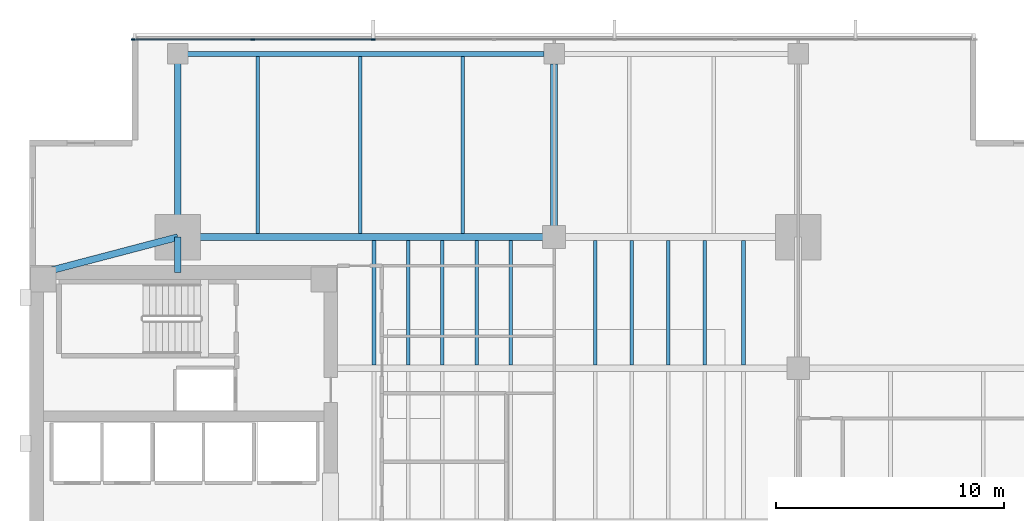
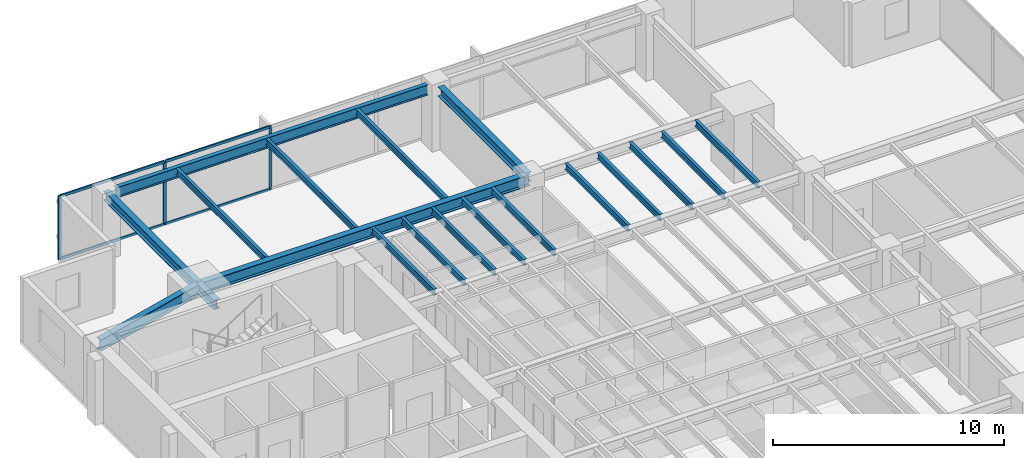
# One storey, part 5 of 15: 19 beams, 7 members, 1 element without a shape of its own.
"""IFC4 building model written with IfcOpenShell, lengths in metres."""

import ifcopenshell
import ifcopenshell.guid

model = None  # the IFC model being written
_history = None  # IfcOwnerHistory: only IFC2X3 demands one
_inside = {}  # id of a spatial element -> (the spatial element, [elements in it])
_under = {}  # id of a project, library or spatial element -> (it, [spatial elements below it])
_declared = {}  # id of a project -> (the project, [libraries it declares])
_typed = {}  # id of a type object -> (the type object, [elements of that type])
_made_of = {}  # id of a material, layer set ... -> (it, [elements and type objects made of it])


def new_model(schema):
    """Start an empty IFC model of exactly this schema.

    Asked for "IFC4X3", IfcOpenShell would pick the latest addendum, in which some entities
    have other attributes; the version numbers below select the first issue.
    IFC2X3 requires an IfcOwnerHistory on every rooted entity: one is made here for all.
    """
    global model, _history
    if schema == "IFC4X3":
        model = ifcopenshell.file(schema_version=(4, 3, 0, 0))
    else:
        model = ifcopenshell.file(schema=schema)
    _inside.clear()
    _under.clear()
    _declared.clear()
    _typed.clear()
    _made_of.clear()
    _history = None
    if model.schema == "IFC2X3":
        org = make("IfcOrganization", Name="unknown")
        user = make(
            "IfcPersonAndOrganization",
            ThePerson=make("IfcPerson", FamilyName="unknown"),
            TheOrganization=org,
        )
        app = make(
            "IfcApplication",
            ApplicationDeveloper=org,
            Version="unknown",
            ApplicationFullName="unknown",
            ApplicationIdentifier="unknown",
        )
        _history = make(
            "IfcOwnerHistory",
            OwningUser=user,
            OwningApplication=app,
            ChangeAction="ADDED",
            CreationDate=0,
        )
    return model


def make(cls, **values):
    """One entity of the class cls with the attributes given. An attribute that is None is left unset."""
    return model.create_entity(
        cls, **{name: value for name, value in values.items() if value is not None}
    )


def rooted(cls, **values):
    """An entity with a GlobalId (a new one), such as an element, a storey or a relation."""
    return make(cls, GlobalId=ifcopenshell.guid.new(), OwnerHistory=_history, **values)


def si_unit(unit_type, name, prefix=None):
    """IfcSIUnit, for example si_unit("LENGTHUNIT", "METRE", prefix="MILLI")."""
    return make("IfcSIUnit", UnitType=unit_type, Prefix=prefix, Name=name)


def assignment(units):
    """IfcUnitAssignment: the units of a project."""
    return None if units is None else make("IfcUnitAssignment", Units=units)


def point(xyz):
    """IfcCartesianPoint."""
    return None if xyz is None else make("IfcCartesianPoint", Coordinates=xyz)


def direction(xyz):
    """IfcDirection."""
    return None if xyz is None else make("IfcDirection", DirectionRatios=xyz)


def frame(location, z_axis=None, x_axis=None):
    """IfcAxis2Placement3D, a coordinate frame: its origin and axes. An axis left out is left unset."""
    return make(
        "IfcAxis2Placement3D",
        Location=point(location),
        Axis=direction(z_axis),
        RefDirection=direction(x_axis),
    )


def frame_2d(location, x_axis=None):
    """IfcAxis2Placement2D, a coordinate frame in the plane: its origin and x axis."""
    return make(
        "IfcAxis2Placement2D", Location=point(location), RefDirection=direction(x_axis)
    )


def origin():
    """The frame at (0, 0, 0) with its axes left unset."""
    return frame((0.0, 0.0, 0.0))


def origin_2d():
    """The frame at (0, 0) in the plane with its x axis left unset."""
    return frame_2d((0.0, 0.0))


def place(relative_to, where):
    """IfcLocalPlacement: puts the frame where relative to a parent placement (None: the world)."""
    return make(
        "IfcLocalPlacement", PlacementRelTo=relative_to, RelativePlacement=where
    )


def context(
    kind, dimensions, precision=None, world=None, true_north=None, identifier=None
):
    """IfcGeometricRepresentationContext, for example the 3D "Model" context."""
    return make(
        "IfcGeometricRepresentationContext",
        ContextIdentifier=identifier,
        ContextType=kind,
        CoordinateSpaceDimension=dimensions,
        Precision=precision,
        WorldCoordinateSystem=world,
        TrueNorth=true_north,
    )


def subcontext(parent, identifier, kind, view, scale=None):
    """IfcGeometricRepresentationSubContext, for example "Body" below "Model"."""
    return make(
        "IfcGeometricRepresentationSubContext",
        ContextIdentifier=identifier,
        ContextType=kind,
        ParentContext=parent,
        TargetScale=scale,
        TargetView=view,
    )


def project(units=None, contexts=None):
    """IfcProject with its units and contexts."""
    return rooted(
        "IfcProject",
        Name="project",
        RepresentationContexts=contexts,
        UnitsInContext=assignment(units),
    )


def spatial(cls, under=None, at=None, **own):
    """A site, building, storey or space (cls), placed at a placement, below another one or the project."""
    s = rooted(cls, ObjectPlacement=at, **own)
    if under is not None:
        _under.setdefault(under.id(), (under, []))[1].append(s)
    return s


def profile(cls, at=None, kind="AREA", **sizes):
    """A parametric profile (cls). Its sizes go by their IFC names, for example OverallWidth=200.0."""
    return make(cls, ProfileType=kind, Position=at, **sizes)


def rectangle(**sizes):
    """IfcRectangleProfileDef."""
    return profile("IfcRectangleProfileDef", **sizes)


def i_section(**sizes):
    """IfcIShapeProfileDef."""
    return profile("IfcIShapeProfileDef", **sizes)


def extrude(swept, where, along, depth):
    """IfcExtrudedAreaSolid: the profile swept, set in the frame where, extruded along a direction by depth."""
    return make(
        "IfcExtrudedAreaSolid",
        SweptArea=swept,
        Position=where,
        ExtrudedDirection=direction(along),
        Depth=depth,
    )


def shape(context_of_items, identifier, shape_type, items):
    """IfcShapeRepresentation: the items that make up one representation, for example the "Body"."""
    return make(
        "IfcShapeRepresentation",
        ContextOfItems=context_of_items,
        RepresentationIdentifier=identifier,
        RepresentationType=shape_type,
        Items=items,
    )


def material(Name=None, Category=None):
    """IfcMaterial."""
    return make("IfcMaterial", Name=Name, Category=Category)


def layer(
    of_material, thickness, ventilated=None, Name=None, Category=None, Priority=None
):
    """IfcMaterialLayer: one layer of a wall or slab, of a material (None: an air gap)."""
    return make(
        "IfcMaterialLayer",
        Material=of_material,
        LayerThickness=thickness,
        IsVentilated=ventilated,
        Name=Name,
        Category=Category,
        Priority=Priority,
    )


def layer_set(layers, Name=None):
    """IfcMaterialLayerSet."""
    return make("IfcMaterialLayerSet", MaterialLayers=layers, LayerSetName=Name)


def material_profile(
    of_material, cross_section, Name=None, Category=None, Priority=None
):
    """IfcMaterialProfile: a cross section and its material."""
    return make(
        "IfcMaterialProfile",
        Name=Name,
        Material=of_material,
        Profile=cross_section,
        Priority=Priority,
        Category=Category,
    )


def profile_set(profiles, Name=None, composite=None):
    """IfcMaterialProfileSet."""
    return make(
        "IfcMaterialProfileSet",
        Name=Name,
        MaterialProfiles=profiles,
        CompositeProfile=composite,
    )


def made_of(thing, what):
    """Note that an element or type object is made of a material, layer set ...; save() writes the relation."""
    if what is not None:
        _made_of.setdefault(what.id(), (what, []))[1].append(thing)
    return thing


def type_object(cls, material=None, **own):
    """A type object (cls), such as IfcWallType, which elements share."""
    return made_of(rooted(cls, **own), material)


def element(
    cls,
    number,
    at=None,
    inside=None,
    cuts=None,
    type_object=None,
    material=None,
    context=None,
    identifier="Body",
    shape_type=None,
    held_by="IfcProductDefinitionShape",
    body=None,
    shapes=None,
    **own,
):
    """One element of the class cls, such as IfcWall. Its Tag is "e" and its number.

    at: its placement. inside: the storey or other place that contains it. cuts: it is an
    opening in that element (IfcRelVoidsElement). A single representation is given by context,
    identifier, shape_type and body (its items); several are given by shapes. held_by: the class
    of the entity that holds the representations. save() writes the other relations.
    """
    e = rooted(cls, Tag="e%d" % number, ObjectPlacement=at, **own)
    if body is not None:
        shapes = [shape(context, identifier, shape_type, body)]
    if shapes is not None:
        e.Representation = make(held_by, Representations=shapes)
    if inside is not None:
        _inside.setdefault(inside.id(), (inside, []))[1].append(e)
    if cuts is not None:
        rooted(
            "IfcRelVoidsElement", RelatingBuildingElement=cuts, RelatedOpeningElement=e
        )
    if type_object is not None:
        _typed.setdefault(type_object.id(), (type_object, []))[1].append(e)
    return made_of(e, material)


def aggregate(whole, parts):
    """IfcRelAggregates: a whole, such as a stair, and the parts it consists of."""
    return rooted("IfcRelAggregates", RelatingObject=whole, RelatedObjects=parts)


def save(model, path):
    """Write the relations noted so far, then the file.

    IfcRelAggregates (storeys below a building ...), IfcRelContainedInSpatialStructure (elements
    in a storey), IfcRelDefinesByType, IfcRelAssociatesMaterial and IfcRelDeclares: one each for
    every whole, place, type object, material and project.
    """
    for whole, parts in _under.values():
        aggregate(whole, parts)
    for where, things in _inside.values():
        rooted(
            "IfcRelContainedInSpatialStructure",
            RelatedElements=things,
            RelatingStructure=where,
        )
    for kind, things in _typed.values():
        rooted("IfcRelDefinesByType", RelatedObjects=things, RelatingType=kind)
    for what, things in _made_of.values():
        rooted("IfcRelAssociatesMaterial", RelatedObjects=things, RelatingMaterial=what)
    for by, libraries in _declared.values():
        rooted("IfcRelDeclares", RelatingContext=by, RelatedDefinitions=libraries)
    model.write(path)


model = new_model("IFC4")

# Units and contexts
model_context = context("Model", 3, precision=1e-05, world=origin(), true_north=direction((0.0, 1.0)))
body_context = subcontext(model_context, "Body", "Model", "MODEL_VIEW")
ifc_project = project(units=[si_unit("LENGTHUNIT", "METRE"), si_unit("AREAUNIT", "SQUARE_METRE"), si_unit("VOLUMEUNIT", "CUBIC_METRE"), si_unit("PLANEANGLEUNIT", "RADIAN"), si_unit("MASSUNIT", "GRAM", prefix="KILO")], contexts=[model_context])

# Site, building, storey
site_placement = place(None, origin())
site = spatial("IfcSite", under=ifc_project, at=site_placement, CompositionType="ELEMENT")
building_placement = place(site_placement, origin())
building = spatial("IfcBuilding", under=site, at=building_placement, Name="Kinhvarn Gate Tower", CompositionType="ELEMENT")
storey_placement = place(building_placement, frame((0.0, 0.0, 112.89990234375)))
storey = spatial("IfcBuildingStorey", under=building, at=storey_placement, Name="L29", CompositionType="ELEMENT", Elevation=112.89990234375)

# Curtain wall, members
ifc_material_1 = material(Name="Anodised aluminium AW-6063", Category="aluminium")
ifc_layer = layer(ifc_material_1, 0.179931640625)
ifc_layer_set = layer_set([ifc_layer], Name="Anodised aluminium AW-6063")
curtain_wall_type = type_object("IfcCurtainWallType", Name="CW-SYS-3", PredefinedType="NOTDEFINED", material=ifc_layer_set)
curtain_wall_placement = place(storey_placement, origin())
curtain_wall = element("IfcCurtainWall", 1, at=curtain_wall_placement, inside=storey, type_object=curtain_wall_type, Name="Curtain Wall CW3 (L29)", PredefinedType="NOTDEFINED")
ifc_material_profile_1 = material_profile(ifc_material_1, rectangle(XDim=0.06494140625, YDim=0.159912109375, at=origin_2d()), Name="ALU 65x160")
ifc_profile_set_1 = profile_set([ifc_material_profile_1], Name="Anodised aluminium AW-6063")
member_type_1 = type_object("IfcMemberType", Name="CW-MUL-160", PredefinedType="MULLION", material=ifc_profile_set_1)
member_1_placement = place(storey_placement, frame((19.571533203125, 46.409912109375, 0.0), z_axis=(0.0, 0.0, 1.0), x_axis=(0.0, -1.0, 0.0)))
member_1 = element("IfcMember", 2, at=member_1_placement, type_object=member_type_1, Name="CW3 mullion 6", PredefinedType="MULLION", context=body_context, shape_type="SweptSolid", body=[
    extrude(rectangle(XDim=0.06494140625, YDim=0.159912109375, at=origin_2d()), origin(), (0.0, 0.0, 1.0), 3.3701171875),
])
member_2_placement = place(storey_placement, frame((14.28564453125, 46.409912109375, 0.0), z_axis=(0.0, 0.0, 1.0), x_axis=(0.0, -1.0, 0.0)))
member_2 = element("IfcMember", 3, at=member_2_placement, type_object=member_type_1, Name="CW3 mullion 7", PredefinedType="MULLION", context=body_context, shape_type="SweptSolid", body=[
    extrude(rectangle(XDim=0.06494140625, YDim=0.159912109375, at=origin_2d()), origin(), (0.0, 0.0, 1.0), 3.3701171875),
])
member_3_placement = place(storey_placement, frame((9.032470703125, 46.409912109375, 0.0), z_axis=(0.0, 0.0, 1.0), x_axis=(0.0, -1.0, 0.0)))
member_3 = element("IfcMember", 4, at=member_3_placement, type_object=member_type_1, Name="CW3 mullion 8", PredefinedType="MULLION", context=body_context, shape_type="SweptSolid", body=[
    extrude(rectangle(XDim=0.06494140625, YDim=0.159912109375, at=origin_2d()), origin(), (0.0, 0.0, 1.0), 3.3701171875),
])
ifc_material_profile_2 = material_profile(ifc_material_1, rectangle(XDim=0.070068359375, YDim=0.139892578125, at=origin_2d()), Name="ALU 70x140")
ifc_profile_set_2 = profile_set([ifc_material_profile_2], Name="Anodised aluminium AW-6063")
member_type_2 = type_object("IfcMemberType", Name="CW-TRN-140", PredefinedType="USERDEFINED", material=ifc_profile_set_2)
member_4_placement = place(storey_placement, frame((19.538818359375, 46.409912109375, 0.03515625), z_axis=(-1.0, 0.0, 0.0), x_axis=(0.0, -1.0, 0.0)))
member_4 = element("IfcMember", 5, at=member_4_placement, type_object=member_type_2, Name="CW3 transom 6.1", ObjectType="TRANSOM", PredefinedType="USERDEFINED", context=body_context, shape_type="SweptSolid", body=[
    extrude(rectangle(XDim=0.070068359375, YDim=0.139892578125, at=origin_2d()), origin(), (0.0, 0.0, 1.0), 5.220703125),
])
member_5_placement = place(storey_placement, frame((19.538818359375, 46.409912109375, 3.335205078125), z_axis=(-1.0, 0.0, 0.0), x_axis=(0.0, -1.0, 0.0)))
member_5 = element("IfcMember", 6, at=member_5_placement, type_object=member_type_2, Name="CW3 transom 6.2", ObjectType="TRANSOM", PredefinedType="USERDEFINED", context=body_context, shape_type="SweptSolid", body=[
    extrude(rectangle(XDim=0.070068359375, YDim=0.139892578125, at=origin_2d()), origin(), (0.0, 0.0, 1.0), 5.220703125),
])
member_6_placement = place(storey_placement, frame((14.253173828125, 46.409912109375, 0.03515625), z_axis=(-1.0, 0.0, 0.0), x_axis=(0.0, -1.0, 0.0)))
member_6 = element("IfcMember", 7, at=member_6_placement, type_object=member_type_2, Name="CW3 transom 7.1", ObjectType="TRANSOM", PredefinedType="USERDEFINED", context=body_context, shape_type="SweptSolid", body=[
    extrude(rectangle(XDim=0.070068359375, YDim=0.139892578125, at=origin_2d()), origin(), (0.0, 0.0, 1.0), 5.188232421875),
])
member_7_placement = place(storey_placement, frame((14.253173828125, 46.409912109375, 3.335205078125), z_axis=(-1.0, 0.0, 0.0), x_axis=(0.0, -1.0, 0.0)))
member_7 = element("IfcMember", 8, at=member_7_placement, type_object=member_type_2, Name="CW3 transom 7.2", ObjectType="TRANSOM", PredefinedType="USERDEFINED", context=body_context, shape_type="SweptSolid", body=[
    extrude(rectangle(XDim=0.070068359375, YDim=0.139892578125, at=origin_2d()), origin(), (0.0, 0.0, 1.0), 5.188232421875),
])
aggregate(curtain_wall, [member_1, member_2, member_3, member_4, member_5, member_6, member_7])

# Beams
ifc_material_2 = material(Name="Steel S355", Category="steel")
ifc_material_profile_3 = material_profile(ifc_material_2, i_section(OverallWidth=0.300048828125, OverallDepth=0.5, WebThickness=0.014404296875, FlangeThickness=0.028076171875, at=origin_2d()), Name="HEB 500")
ifc_profile_set_3 = profile_set([ifc_material_profile_3], Name="Steel S355")
beam_type_1 = type_object("IfcBeamType", Name="STL-HEB500", PredefinedType="BEAM", material=ifc_profile_set_3)
beam_1_placement = place(storey_placement, frame((11.0, 36.199951171875, 3.1201171875), z_axis=(0.0, 1.0, 0.0), x_axis=(-1.0, 0.0, 0.0)))
element("IfcBeam", 9, at=beam_1_placement, inside=storey, type_object=beam_type_1, Name="Floor Beam PG-14 (L29 MCW-CN)", PredefinedType="BEAM", context=body_context, shape_type="SweptSolid", body=[
    extrude(i_section(OverallWidth=0.300048828125, OverallDepth=0.5, WebThickness=0.014404296875, FlangeThickness=0.028076171875, at=origin_2d()), origin(), (0.0, 0.0, 1.0), 1.550048828125),
])
beam_2_placement = place(storey_placement, frame((11.0, 37.75, 3.1201171875), z_axis=(0.0, 1.0, 0.0), x_axis=(-1.0, 0.0, 0.0)))
element("IfcBeam", 10, at=beam_2_placement, inside=storey, type_object=beam_type_1, Name="Floor Beam PG-14 (L29 MCW-N)", PredefinedType="BEAM", context=body_context, shape_type="SweptSolid", body=[
    extrude(i_section(OverallWidth=0.300048828125, OverallDepth=0.5, WebThickness=0.014404296875, FlangeThickness=0.028076171875, at=origin_2d()), origin(), (0.0, 0.0, 1.0), 8.030029296875),
])
beam_3_placement = place(storey_placement, frame((27.5, 37.75, 3.1201171875), z_axis=(0.0, 1.0, 0.0), x_axis=(-1.0, 0.0, 0.0)))
element("IfcBeam", 11, at=beam_3_placement, inside=storey, type_object=beam_type_1, Name="Floor Beam PG-14 (L29 SP27-N-TIE)", PredefinedType="BEAM", context=body_context, shape_type="SweptSolid", body=[
    extrude(i_section(OverallWidth=0.300048828125, OverallDepth=0.5, WebThickness=0.014404296875, FlangeThickness=0.028076171875, at=origin_2d()), origin(), (0.0, 0.0, 1.0), 7.594970703125),
])
ifc_material_profile_4 = material_profile(ifc_material_2, i_section(OverallWidth=0.300048828125, OverallDepth=0.60009765625, WebThickness=0.015380859375, FlangeThickness=0.030029296875, at=origin_2d()), Name="HEB 600")
ifc_profile_set_4 = profile_set([ifc_material_profile_4], Name="Steel S355")
beam_type_2 = type_object("IfcBeamType", Name="STL-HEB600", PredefinedType="BEAM", material=ifc_profile_set_4)
beam_4_placement = place(storey_placement, frame((11.0, 37.75, 3.070068359375), z_axis=(1.0, 0.0, 0.0), x_axis=(0.0, 1.0, 0.0)))
element("IfcBeam", 12, at=beam_4_placement, inside=storey, type_object=beam_type_2, Name="Floor Beam PG-16 (L29 MG-N1)", PredefinedType="BEAM", context=body_context, shape_type="SweptSolid", body=[
    extrude(i_section(OverallWidth=0.300048828125, OverallDepth=0.60009765625, WebThickness=0.015380859375, FlangeThickness=0.030029296875, at=origin_2d()), origin(), (0.0, 0.0, 1.0), 16.5),
])
beam_5_placement = place(storey_placement, frame((5.10009765625, 36.199951171875, 3.070068359375), z_axis=(0.967177623957, 0.254101246979, 0.0), x_axis=(-0.254101246979, 0.967177623957, 0.0)))
element("IfcBeam", 13, at=beam_5_placement, inside=storey, type_object=beam_type_2, Name="Floor Beam PG-16 (L29 MG-NW-DIAG)", PredefinedType="BEAM", context=body_context, shape_type="SweptSolid", body=[
    extrude(i_section(OverallWidth=0.300048828125, OverallDepth=0.60009765625, WebThickness=0.015380859375, FlangeThickness=0.030029296875, at=origin_2d()), origin(), (0.0, 0.0, 1.0), 6.10009765625),
])
ifc_material_profile_5 = material_profile(ifc_material_2, i_section(OverallWidth=0.159912109375, OverallDepth=0.330078125, WebThickness=0.007568359375, FlangeThickness=0.011474609375, at=origin_2d()), Name="IPE 330")
ifc_profile_set_5 = profile_set([ifc_material_profile_5], Name="Steel S355")
beam_type_3 = type_object("IfcBeamType", Name="STL-IPE330", PredefinedType="JOIST", material=ifc_profile_set_5)
for number, where, z_axis, x_axis, name in (
    (14, (19.60009765625, 32.14990234375, 3.205078125), (0.0, 1.0, 0.0), (-1.0, 0.0, 0.0), "Floor Joist SB-03 (L29 JC-X196-3)"),
    (15, (21.10009765625, 32.14990234375, 3.205078125), (0.0, 1.0, 0.0), (-1.0, 0.0, 0.0), "Floor Joist SB-03 (L29 JC-X211-3)"),
    (16, (22.60009765625, 32.14990234375, 3.205078125), (0.0, 1.0, 0.0), (-1.0, 0.0, 0.0), "Floor Joist SB-03 (L29 JC-X226-3)"),
    (17, (24.10009765625, 32.14990234375, 3.205078125), (0.0, 1.0, 0.0), (-1.0, 0.0, 0.0), "Floor Joist SB-03 (L29 JC-X241-3)"),
    (18, (25.60009765625, 32.14990234375, 3.205078125), (0.0, 1.0, 0.0), (-1.0, 0.0, 0.0), "Floor Joist SB-03 (L29 JC-X256-3)"),
    (19, (29.300048828125, 32.14990234375, 3.205078125), (0.0, 1.0, 0.0), (-1.0, 0.0, 0.0), "Floor Joist SB-03 (L29 JC-X293-3)"),
    (20, (30.89990234375, 32.14990234375, 3.205078125), (0.0, 1.0, 0.0), (-1.0, 0.0, 0.0), "Floor Joist SB-03 (L29 JC-X309-3)"),
    (21, (32.5, 32.14990234375, 3.205078125), (0.0, 1.0, 0.0), (-1.0, 0.0, 0.0), "Floor Joist SB-03 (L29 JC-X325-3)"),
    (22, (34.10009765625, 32.14990234375, 3.205078125), (0.0, 1.0, 0.0), (-1.0, 0.0, 0.0), "Floor Joist SB-03 (L29 JC-X341-3)"),
    (23, (35.800048828125, 32.14990234375, 3.205078125), (0.0, 1.0, 0.0), (-1.0, 0.0, 0.0), "Floor Joist SB-03 (L29 JC-X358-3)"),
):
    element("IfcBeam", number, at=place(storey_placement, frame(where, z_axis=z_axis, x_axis=x_axis)), inside=storey, type_object=beam_type_3, Name=name, PredefinedType="JOIST", context=body_context, shape_type="SweptSolid", body=[
        extrude(i_section(OverallWidth=0.159912109375, OverallDepth=0.330078125, WebThickness=0.007568359375, FlangeThickness=0.011474609375, at=origin_2d()), origin(), (0.0, 0.0, 1.0), 5.4501953125),
    ])
for number, where, z_axis, x_axis, name in (
    (24, (14.5, 37.89990234375, 3.205078125), (0.0, 1.0, 0.0), (-1.0, 0.0, 0.0), "Floor Joist SB-03 (L29 JN-X145)"),
    (25, (19.0, 37.89990234375, 3.205078125), (0.0, 1.0, 0.0), (-1.0, 0.0, 0.0), "Floor Joist SB-03 (L29 JN-X190)"),
    (26, (23.5, 37.89990234375, 3.205078125), (0.0, 1.0, 0.0), (-1.0, 0.0, 0.0), "Floor Joist SB-03 (L29 JN-X235)"),
):
    element("IfcBeam", number, at=place(storey_placement, frame(where, z_axis=z_axis, x_axis=x_axis)), inside=storey, type_object=beam_type_3, Name=name, PredefinedType="JOIST", context=body_context, shape_type="SweptSolid", body=[
        extrude(i_section(OverallWidth=0.159912109375, OverallDepth=0.330078125, WebThickness=0.007568359375, FlangeThickness=0.011474609375, at=origin_2d()), origin(), (0.0, 0.0, 1.0), 7.775146484375),
    ])
ifc_material_profile_6 = material_profile(ifc_material_2, i_section(OverallWidth=0.2099609375, OverallDepth=0.550048828125, WebThickness=0.010986328125, FlangeThickness=0.01708984375, at=origin_2d()), Name="IPE 550")
ifc_profile_set_6 = profile_set([ifc_material_profile_6], Name="Steel S355")
beam_type_4 = type_object("IfcBeamType", Name="STL-IPE550", PredefinedType="SPANDREL", material=ifc_profile_set_6)
beam_6_placement = place(storey_placement, frame((11.43505859375, 45.780029296875, 3.09521484375), z_axis=(1.0, 0.0, 0.0), x_axis=(0.0, 1.0, 0.0)))
element("IfcBeam", 27, at=beam_6_placement, inside=storey, type_object=beam_type_4, Name="Floor Spandrel SB-08 (L29 SP-N1)", PredefinedType="SPANDREL", context=body_context, shape_type="SweptSolid", body=[
    extrude(i_section(OverallWidth=0.2099609375, OverallDepth=0.550048828125, WebThickness=0.010986328125, FlangeThickness=0.01708984375, at=origin_2d()), origin(), (0.0, 0.0, 1.0), 15.6298828125),
])

save(model, "model.ifc")
